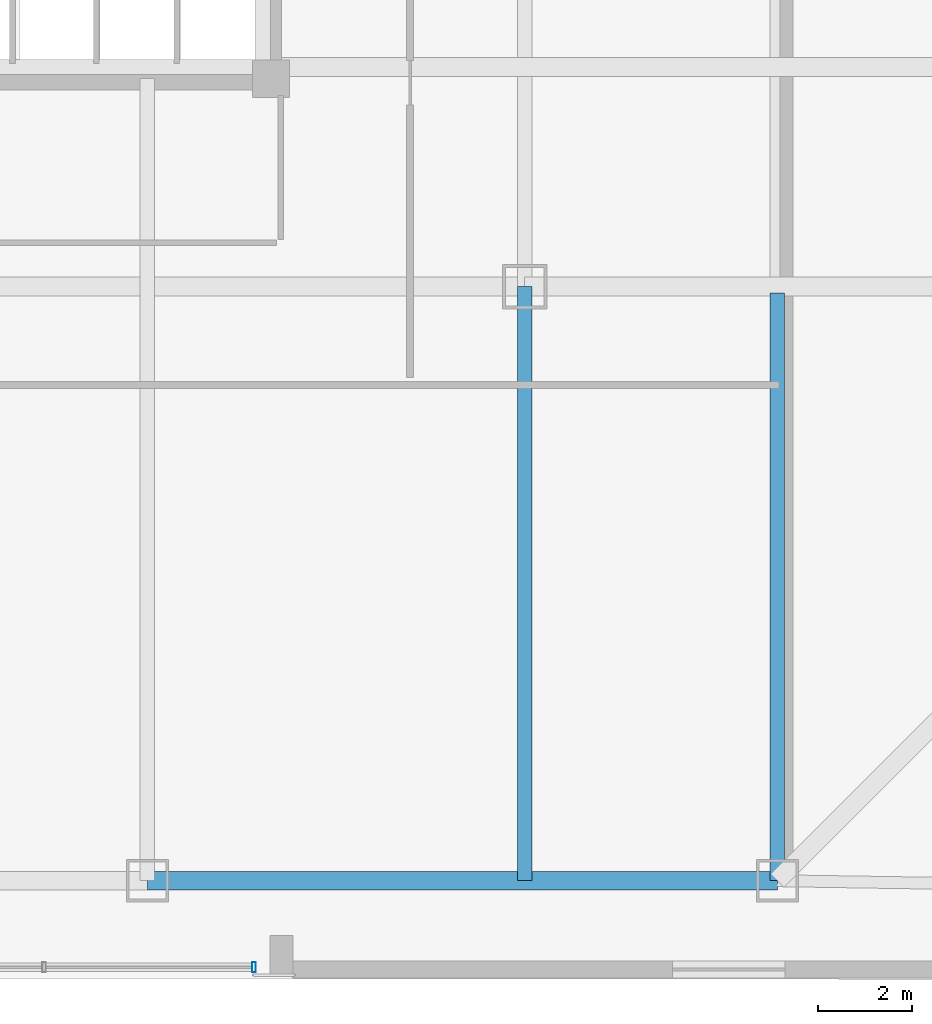
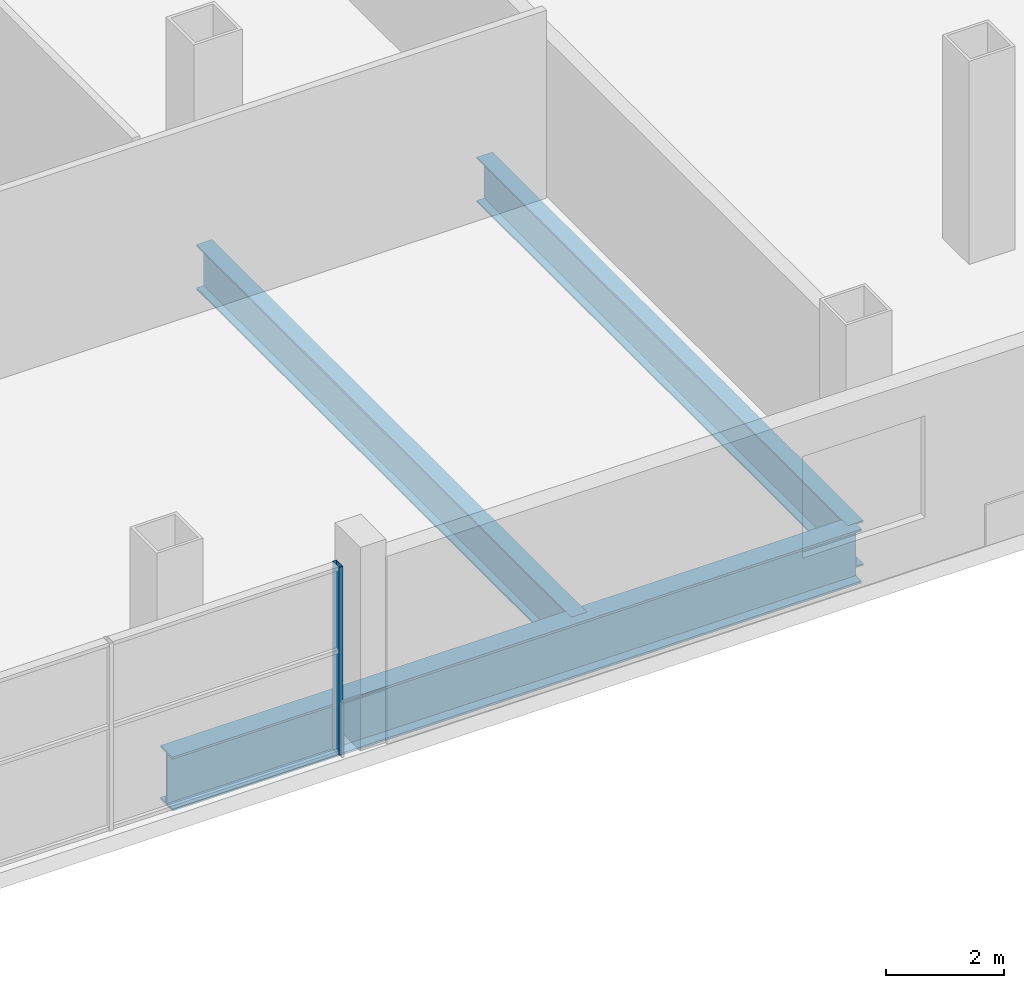
# One storey, part 6 of 21: 3 beams, 1 member, 1 element without a shape of its own.
"""IFC4 building model written with IfcOpenShell, lengths in metres."""

from ifc_helpers import new_model, si_unit, direction, frame, origin, origin_2d, place, context, subcontext, project, spatial, hollow_rectangle, i_section, extrude, material, layer, layer_set, material_profile, profile_set, type_object, element, aggregate, save


model = new_model("IFC4")

# Units and contexts
model_context = context("Model", 3, precision=1e-05, world=origin(), true_north=direction((0.0, 1.0)))
body_context = subcontext(model_context, "Body", "Model", "MODEL_VIEW")
ifc_project = project(units=[si_unit("LENGTHUNIT", "METRE"), si_unit("AREAUNIT", "SQUARE_METRE"), si_unit("VOLUMEUNIT", "CUBIC_METRE"), si_unit("PLANEANGLEUNIT", "RADIAN"), si_unit("MASSUNIT", "GRAM", prefix="KILO")], contexts=[model_context])

# Site, building, storey
site_placement = place(None, origin())
site = spatial("IfcSite", under=ifc_project, at=site_placement, CompositionType="ELEMENT")
building_placement = place(site_placement, origin())
building = spatial("IfcBuilding", under=site, at=building_placement, Name="Qhalaya Broadcast Tower", CompositionType="ELEMENT")
storey_placement = place(building_placement, frame((0.0, 0.0, 13.5)))
storey = spatial("IfcBuildingStorey", under=building, at=storey_placement, Name="L03", CompositionType="ELEMENT", Elevation=13.5)

# Beams
ifc_material_1 = material(Name="Structural Steel ASTM A992 Grade 50", Category="steel")
ifc_material_profile_1 = material_profile(ifc_material_1, i_section(OverallWidth=0.306884765625, OverallDepth=0.927001953125, WebThickness=0.019287109375, FlangeThickness=0.031982421875, at=origin_2d()), Name="W36X194")
ifc_profile_set_1 = profile_set([ifc_material_profile_1], Name="Structural Steel ASTM A992 Grade 50")
beam_type_1 = type_object("IfcBeamType", Name="Heavy Studio Floor Beam B01", PredefinedType="BEAM", material=ifc_profile_set_1)
beam_1_placement = place(storey_placement, frame((14.800048828125, -25.89990234375, -0.783447265625), z_axis=(0.0, 1.0, 0.0), x_axis=(-1.0, 0.0, 0.0)))
element("IfcBeam", 1, at=beam_1_placement, inside=storey, type_object=beam_type_1, Name="L03 B01 L03-JS-S+14.8", PredefinedType="BEAM", context=body_context, shape_type="SweptSolid", body=[
    extrude(i_section(OverallWidth=0.306884765625, OverallDepth=0.927001953125, WebThickness=0.019287109375, FlangeThickness=0.031982421875, at=origin_2d()), origin(), (0.0, 0.0, 1.0), 12.699951171875),
])
beam_2_placement = place(storey_placement, frame((20.199951171875, -25.89990234375, -0.783447265625), z_axis=(0.0, 1.0, 0.0), x_axis=(-1.0, 0.0, 0.0)))
element("IfcBeam", 2, at=beam_2_placement, inside=storey, type_object=beam_type_1, Name="L03 B01 L03-JS-S+20.2", PredefinedType="BEAM", context=body_context, shape_type="SweptSolid", body=[
    extrude(i_section(OverallWidth=0.306884765625, OverallDepth=0.927001953125, WebThickness=0.019287109375, FlangeThickness=0.031982421875, at=origin_2d()), origin(), (0.0, 0.0, 1.0), 12.559814453125),
])
ifc_material_profile_2 = material_profile(ifc_material_1, i_section(OverallWidth=0.404052734375, OverallDepth=1.117919921875, WebThickness=0.026123046875, FlangeThickness=0.044921875, at=origin_2d()), Name="W44X335")
ifc_profile_set_2 = profile_set([ifc_material_profile_2], Name="Structural Steel ASTM A992 Grade 50")
beam_type_2 = type_object("IfcBeamType", Name="Podium Long-Span Primary Girder PG1", PredefinedType="USERDEFINED", material=ifc_profile_set_2)
beam_3_placement = place(storey_placement, frame((6.7333984375, -25.89990234375, -0.87890625), z_axis=(1.0, 0.0, 0.0), x_axis=(0.0, 1.0, 0.0)))
element("IfcBeam", 3, at=beam_3_placement, inside=storey, type_object=beam_type_2, Name="L03 PG1 L03-PG-R03", ObjectType="GIRDER", PredefinedType="USERDEFINED", context=body_context, shape_type="SweptSolid", body=[
    extrude(i_section(OverallWidth=0.404052734375, OverallDepth=1.117919921875, WebThickness=0.026123046875, FlangeThickness=0.044921875, at=origin_2d()), origin(), (0.0, 0.0, 1.0), 13.466552734375),
])

# Curtain wall, member
ifc_material_2 = material(Name="Solar-Control Low-E Triple Glazing", Category="glass")
ifc_layer = layer(ifc_material_2, 0.219970703125, Name="Solar-Control Low-E Triple Glazing")
ifc_layer_set = layer_set([ifc_layer], Name="Solar-Control Low-E Triple Glazing")
curtain_wall_type = type_object("IfcCurtainWallType", Name="Podium Concourse Triple-Height Glazed Portal CW-01", PredefinedType="NOTDEFINED", material=ifc_layer_set)
curtain_wall_placement = place(storey_placement, origin())
curtain_wall = element("IfcCurtainWall", 4, at=curtain_wall_placement, inside=storey, type_object=curtain_wall_type, Name="L03 Unitised Curtain Wall L03-CW01-S", PredefinedType="NOTDEFINED")
ifc_material_3 = material(Name="Anodised Aluminium 6063-T6", Category="aluminium")
ifc_material_profile_3 = material_profile(ifc_material_3, hollow_rectangle(XDim=0.074951171875, YDim=0.219970703125, WallThickness=0.00390625, at=origin_2d()), Name="ALU-MUL 75x220x4")
ifc_profile_set_3 = profile_set([ifc_material_profile_3], Name="Anodised Aluminium 6063-T6")
member_type = type_object("IfcMemberType", Name="Unitised Curtain-Wall Mullion M01", PredefinedType="MULLION", material=ifc_profile_set_3)
member_placement = place(storey_placement, frame((9.012451171875, -27.75, 0.0), z_axis=(0.0, 0.0, 1.0), x_axis=(1.0, 0.0, 0.0)))
member = element("IfcMember", 5, at=member_placement, type_object=member_type, Name="CW-01 mullion 5", PredefinedType="MULLION", context=body_context, shape_type="SweptSolid", body=[
    extrude(hollow_rectangle(XDim=0.074951171875, YDim=0.219970703125, WallThickness=0.00390625, at=origin_2d()), origin(), (0.0, 0.0, 1.0), 3.8798828125),
])
aggregate(curtain_wall, [member])

save(model, "model.ifc")
